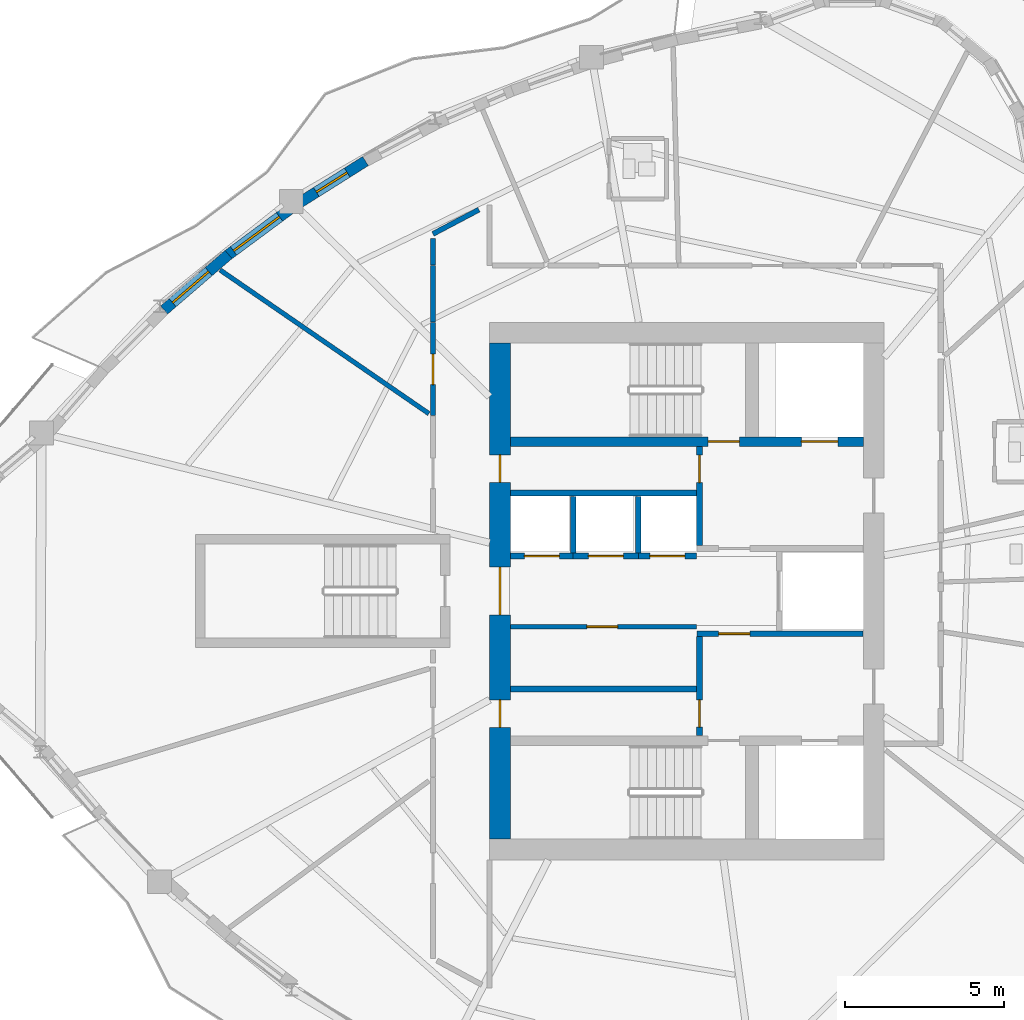
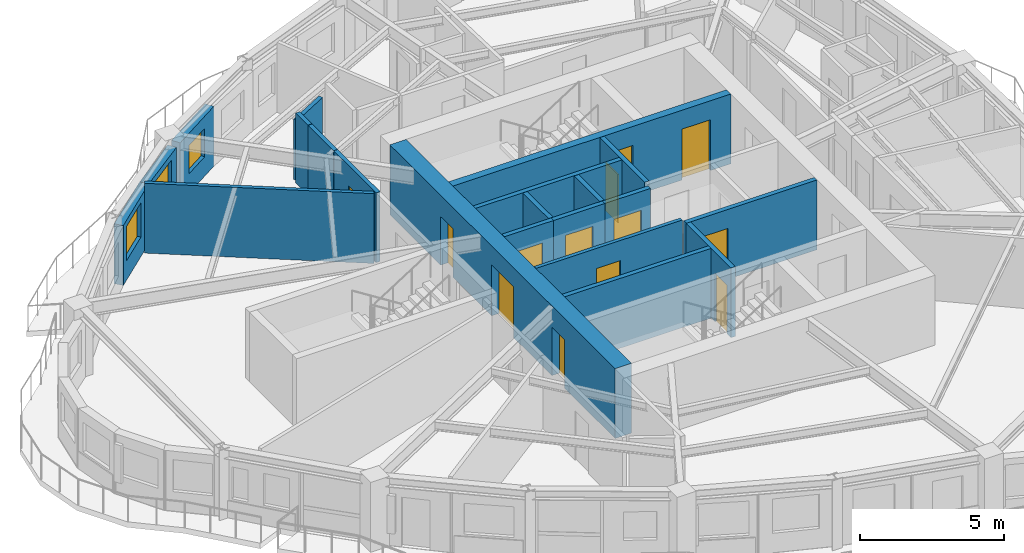
# One storey, part 6 of 13: 21 walls, 13 doors, 3 windows, 16 openings.
"""IFC4 building model written with IfcOpenShell, lengths in metres."""

from ifc_helpers import new_model, si_unit, direction, frame, frame_2d, origin, place, context, subcontext, project, spatial, rectangle, extrude, source, transform, mapped, material, layer, layer_set, type_object, element, fill, save


model = new_model("IFC4")

# Units and contexts
model_context = context("Model", 3, precision=1e-05, world=origin(), true_north=direction((0.0, 1.0)))
body_context = subcontext(model_context, "Body", "Model", "MODEL_VIEW")
ifc_project = project(units=[si_unit("LENGTHUNIT", "METRE"), si_unit("AREAUNIT", "SQUARE_METRE"), si_unit("VOLUMEUNIT", "CUBIC_METRE"), si_unit("PLANEANGLEUNIT", "RADIAN"), si_unit("MASSUNIT", "GRAM", prefix="KILO")], contexts=[model_context])

# Site, building, storey
site_placement = place(None, origin())
site = spatial("IfcSite", under=ifc_project, at=site_placement, CompositionType="ELEMENT")
building_placement = place(site_placement, origin())
building = spatial("IfcBuilding", under=site, at=building_placement, Name="Qafzar Sky-Pleat Residences", CompositionType="ELEMENT")
storey_placement = place(building_placement, frame((0.0, 0.0, 133.0)))
storey = spatial("IfcBuildingStorey", under=building, at=storey_placement, Name="L39", CompositionType="ELEMENT", Elevation=133.0)

# Wall, opening, door
ifc_material_1 = material(Name="Acoustic gypsum plasterboard partition", Category="gypsum")
ifc_layer_1 = layer(ifc_material_1, 0.159912109375)
ifc_layer_set_1 = layer_set([ifc_layer_1], Name="Acoustic gypsum plasterboard partition")
wall_type_1 = type_object("IfcWallType", Name="PART-COR-160", PredefinedType="PARTITIONING", material=ifc_layer_set_1)
wall_1_placement = place(storey_placement, frame((22.3701171875, 31.52294921875, 0.0), z_axis=(0.0, 0.0, 1.0), x_axis=(0.0, 1.0, 0.0)))
wall_1 = element("IfcWall", 1, at=wall_1_placement, inside=storey, type_object=wall_type_1, Name="L39 Partition Wall PART-L39-PW-008", PredefinedType="PARTITIONING", context=body_context, shape_type="SweptSolid", body=[
    extrude(rectangle(XDim=2.927001953125, YDim=0.159912109375, at=frame_2d((1.46337890625, 0.0))), origin(), (0.0, 0.0, 1.0), 2.949951171875),
])
opening_1_placement = place(wall_1_placement, frame((0.966552734375, 0.0, 0.0)))
opening_1 = element("IfcOpeningElement", 2, at=opening_1_placement, cuts=wall_1, Name="Opening ID-06", PredefinedType="OPENING", context=body_context, shape_type="SweptSolid", body=[
    extrude(rectangle(XDim=0.9599609375, YDim=2.10009765625, at=frame_2d((0.47998046875, 1.050048828125))), frame((0.0, 0.08984375, 0.0), z_axis=(0.0, -1.0, 0.0), x_axis=(1.0, 0.0, 0.0)), (0.0, 0.0, 1.0), 0.179931640625),
])
ifc_material_2 = material(Name="Timber-faced fire door", Category="wood")
door_type_1 = type_object("IfcDoorType", Name="DR-STD-960", OperationType="NOTDEFINED", PredefinedType="DOOR", material=ifc_material_2)
shared_shape_1 = source(origin(), body_context, "Body", "SweptSolid", [
    extrude(rectangle(XDim=0.9599609375, YDim=2.10009765625, at=frame_2d((0.47998046875, 1.050048828125))), frame((0.0, 0.02490234375, 0.0), z_axis=(0.0, -1.0, 0.0), x_axis=(1.0, 0.0, 0.0)), (0.0, 0.0, 1.0), 0.050048828125),
])
door_1_placement = place(opening_1_placement, origin())
door_1 = element("IfcDoor", 3, at=door_1_placement, inside=storey, type_object=door_type_1, Name="L39 Media Screening Room Door", OperationType="SINGLE_SWING_LEFT", OverallHeight=2.10009765625, OverallWidth=0.9599609375, PredefinedType="DOOR", context=body_context, shape_type="MappedRepresentation", body=[
    mapped(shared_shape_1, transform((0.0, 0.0, 0.0), x_axis=(1.0, 0.0, 0.0), y_axis=(0.0, 1.0, 0.0), z_axis=(0.0, 0.0, 1.0), scale=1.0)),
])
fill(opening_1, door_1)

# Walls
wall_2_placement = place(storey_placement, frame((22.3701171875, 34.465087890625, 0.0), z_axis=(0.0, 0.0, 1.0), x_axis=(0.0, 1.0, 0.0)))
element("IfcWall", 4, at=wall_2_placement, inside=storey, type_object=wall_type_1, Name="L39 Partition Wall PART-L39-PW-036", PredefinedType="PARTITIONING", context=body_context, shape_type="SweptSolid", body=[
    extrude(rectangle(XDim=1.764892578125, YDim=0.159912109375, at=frame_2d((0.88232421875, 0.0))), origin(), (0.0, 0.0, 1.0), 2.949951171875),
])
wall_3_placement = place(storey_placement, frame((22.3701171875, 37.22802734375, 0.0), z_axis=(0.0, 0.0, 1.0), x_axis=(0.884271493782, 0.466973152638, 0.0)))
element("IfcWall", 5, at=wall_3_placement, inside=storey, type_object=wall_type_1, Name="L39 Partition Wall PART-L39-PW-038", PredefinedType="PARTITIONING", context=body_context, shape_type="SweptSolid", body=[
    extrude(rectangle(XDim=1.631591796875, YDim=0.159912109375, at=frame_2d((0.81591796875, 0.0))), origin(), (0.0, 0.0, 1.0), 2.55810546875),
])
wall_4_placement = place(storey_placement, frame((22.3701171875, 36.2451171875, 0.0), z_axis=(0.0, 0.0, 1.0), x_axis=(0.0, 1.0, 0.0)))
element("IfcWall", 6, at=wall_4_placement, inside=storey, type_object=wall_type_1, Name="L39 Partition Wall PART-L39-PW-040", PredefinedType="PARTITIONING", context=body_context, shape_type="SweptSolid", body=[
    extrude(rectangle(XDim=0.84228515625, YDim=0.159912109375, at=frame_2d((0.421142578125, 0.0))), origin(), (0.0, 0.0, 1.0), 2.949951171875),
])

# Wall, opening, door
ifc_material_3 = material(Name="Concrete blockwork partition", Category="masonry")
ifc_layer_2 = layer(ifc_material_3, 0.179931640625)
ifc_layer_set_2 = layer_set([ifc_layer_2], Name="Concrete blockwork partition")
wall_type_2 = type_object("IfcWallType", Name="PART-SHAFT-180", PredefinedType="PARTITIONING", material=ifc_layer_set_2)
wall_5_placement = place(storey_placement, frame((30.75, 21.4599609375, 0.0), z_axis=(0.0, 0.0, 1.0), x_axis=(0.0, 1.0, 0.0)))
wall_5 = element("IfcWall", 7, at=wall_5_placement, inside=storey, type_object=wall_type_2, Name="L39 Partition Wall PART-L39-FFL1-W", PredefinedType="PARTITIONING", context=body_context, shape_type="SweptSolid", body=[
    extrude(rectangle(XDim=3.110107421875, YDim=0.179931640625, at=frame_2d((1.55517578125, 0.0))), origin(), (0.0, 0.0, 1.0), 2.949951171875),
])
opening_2_placement = place(wall_5_placement, frame((0.260009765625, 0.0, 0.0)))
opening_2 = element("IfcOpeningElement", 8, at=opening_2_placement, cuts=wall_5, Name="Opening ID-09", PredefinedType="OPENING", context=body_context, shape_type="SweptSolid", body=[
    extrude(rectangle(XDim=0.860107421875, YDim=2.050048828125, at=frame_2d((0.43017578125, 1.02490234375))), frame((0.0, 0.10009765625, 0.0), z_axis=(0.0, -1.0, 0.0), x_axis=(1.0, 0.0, 0.0)), (0.0, 0.0, 1.0), 0.199951171875),
])
door_type_2 = type_object("IfcDoorType", Name="DR-SVC-860", OperationType="NOTDEFINED", PredefinedType="DOOR", material=ifc_material_2)
shared_shape_2 = source(origin(), body_context, "Body", "SweptSolid", [
    extrude(rectangle(XDim=0.860107421875, YDim=2.050048828125, at=frame_2d((0.43017578125, 1.02490234375))), frame((0.0, 0.02490234375, 0.0), z_axis=(0.0, -1.0, 0.0), x_axis=(1.0, 0.0, 0.0)), (0.0, 0.0, 1.0), 0.050048828125),
])
door_2_placement = place(opening_2_placement, origin())
door_2 = element("IfcDoor", 9, at=door_2_placement, inside=storey, type_object=door_type_2, Name="L39 South Core Cupboard Door", OperationType="SINGLE_SWING_RIGHT", OverallHeight=2.050048828125, OverallWidth=0.860107421875, PredefinedType="DOOR", context=body_context, shape_type="MappedRepresentation", body=[
    mapped(shared_shape_2, transform((0.0, 0.0, 0.0), x_axis=(1.0, 0.0, 0.0), y_axis=(0.0, 1.0, 0.0), z_axis=(0.0, 0.0, 1.0), scale=1.0)),
])
fill(opening_2, door_2)

wall_6_placement = place(storey_placement, frame((30.669921875, 24.659912109375, 0.0), z_axis=(0.0, 0.0, 1.0), x_axis=(1.0, 0.0, 0.0)))
wall_6 = element("IfcWall", 10, at=wall_6_placement, inside=storey, type_object=wall_type_2, Name="L39 Partition Wall PART-L39-FFL1-N", PredefinedType="PARTITIONING", context=body_context, shape_type="SweptSolid", body=[
    extrude(rectangle(XDim=5.219970703125, YDim=0.179931640625, at=frame_2d((2.60986328125, 0.0))), origin(), (0.0, 0.0, 1.0), 2.949951171875),
])
opening_3_placement = place(wall_6_placement, frame((0.679931640625, 0.0, 0.0)))
opening_3 = element("IfcOpeningElement", 11, at=opening_3_placement, cuts=wall_6, Name="Opening ID-01", PredefinedType="OPENING", context=body_context, shape_type="SweptSolid", body=[
    extrude(rectangle(XDim=0.97998046875, YDim=2.14990234375, at=frame_2d((0.489990234375, 1.074951171875))), frame((0.0, 0.10009765625, 0.0), z_axis=(0.0, -1.0, 0.0), x_axis=(1.0, 0.0, 0.0)), (0.0, 0.0, 1.0), 0.199951171875),
])
door_type_3 = type_object("IfcDoorType", Name="DR-STAIR-980", OperationType="NOTDEFINED", PredefinedType="DOOR", material=ifc_material_2)
shared_shape_3 = source(origin(), body_context, "Body", "SweptSolid", [
    extrude(rectangle(XDim=0.97998046875, YDim=2.14990234375, at=frame_2d((0.489990234375, 1.074951171875))), frame((0.0, 0.02490234375, 0.0), z_axis=(0.0, -1.0, 0.0), x_axis=(1.0, 0.0, 0.0)), (0.0, 0.0, 1.0), 0.050048828125),
])
door_3_placement = place(opening_3_placement, origin())
door_3 = element("IfcDoor", 12, at=door_3_placement, inside=storey, type_object=door_type_3, Name="L39 Lift Lobby to South Firefighting Lobby Door", OperationType="SINGLE_SWING_LEFT", OverallHeight=2.14990234375, OverallWidth=0.97998046875, PredefinedType="DOOR", context=body_context, shape_type="MappedRepresentation", body=[
    mapped(shared_shape_3, transform((0.0, 0.0, 0.0), x_axis=(1.0, 0.0, 0.0), y_axis=(0.0, 1.0, 0.0), z_axis=(0.0, 0.0, 1.0), scale=1.0)),
])
fill(opening_3, door_3)

wall_7_placement = place(storey_placement, frame((30.75, 27.429931640625, 0.0), z_axis=(0.0, 0.0, 1.0), x_axis=(0.0, 1.0, 0.0)))
wall_7 = element("IfcWall", 13, at=wall_7_placement, inside=storey, type_object=wall_type_2, Name="L39 Partition Wall PART-L39-FFL2-W", PredefinedType="PARTITIONING", context=body_context, shape_type="SweptSolid", body=[
    extrude(rectangle(XDim=3.110107421875, YDim=0.179931640625, at=frame_2d((1.55517578125, 0.0))), origin(), (0.0, 0.0, 1.0), 2.949951171875),
])
opening_4_placement = place(wall_7_placement, frame((1.97998046875, 0.0, 0.0)))
opening_4 = element("IfcOpeningElement", 14, at=opening_4_placement, cuts=wall_7, Name="Opening ID-09", PredefinedType="OPENING", context=body_context, shape_type="SweptSolid", body=[
    extrude(rectangle(XDim=0.860107421875, YDim=2.050048828125, at=frame_2d((0.43017578125, 1.02490234375))), frame((0.0, 0.10009765625, 0.0), z_axis=(0.0, -1.0, 0.0), x_axis=(1.0, 0.0, 0.0)), (0.0, 0.0, 1.0), 0.199951171875),
])
door_4_placement = place(opening_4_placement, origin())
door_4 = element("IfcDoor", 15, at=door_4_placement, inside=storey, type_object=door_type_2, Name="L39 North Core Cupboard Door", OperationType="SINGLE_SWING_RIGHT", OverallHeight=2.050048828125, OverallWidth=0.860107421875, PredefinedType="DOOR", context=body_context, shape_type="MappedRepresentation", body=[
    mapped(shared_shape_2, transform((0.0, 0.0, 0.0), x_axis=(1.0, 0.0, 0.0), y_axis=(0.0, 1.0, 0.0), z_axis=(0.0, 0.0, 1.0), scale=1.0)),
])
fill(opening_4, door_4)

# Walls
for number, where, z_axis, x_axis, name in (
    (16, (24.81005859375, 22.919921875, 0.0), (0.0, 0.0, 1.0), (1.0, 0.0, 0.0), "L39 Partition Wall PART-L39-P13-S"),
    (17, (24.81005859375, 29.080078125, 0.0), (0.0, 0.0, 1.0), (1.0, 0.0, 0.0), "L39 Partition Wall PART-L39-P46-N"),
):
    element("IfcWall", number, at=place(storey_placement, frame(where, z_axis=z_axis, x_axis=x_axis)), inside=storey, type_object=wall_type_2, Name=name, PredefinedType="PARTITIONING", context=body_context, shape_type="SweptSolid", body=[
        extrude(rectangle(XDim=5.83984375, YDim=0.179931640625, at=frame_2d((2.919921875, 0.0))), origin(), (0.0, 0.0, 1.0), 2.949951171875),
    ])

# Wall, opening, door
wall_8_placement = place(storey_placement, frame((24.81005859375, 27.10009765625, 0.0), z_axis=(0.0, 0.0, 1.0), x_axis=(1.0, 0.0, 0.0)))
wall_8 = element("IfcWall", 18, at=wall_8_placement, inside=storey, type_object=wall_type_2, Name="L39 Partition Wall PART-L39-P4-S", PredefinedType="PARTITIONING", context=body_context, shape_type="SweptSolid", body=[
    extrude(rectangle(XDim=1.96484375, YDim=0.179931640625, at=frame_2d((0.982421875, 0.0))), origin(), (0.0, 0.0, 1.0), 2.949951171875),
])
opening_5_placement = place(wall_8_placement, frame((0.4326171875, 0.0, 0.0)))
opening_5 = element("IfcOpeningElement", 19, at=opening_5_placement, cuts=wall_8, Name="Opening LD-01", PredefinedType="OPENING", context=body_context, shape_type="SweptSolid", body=[
    extrude(rectangle(XDim=1.10009765625, YDim=2.14990234375, at=frame_2d((0.550048828125, 1.074951171875))), frame((0.0, 0.10009765625, 0.0), z_axis=(0.0, -1.0, 0.0), x_axis=(1.0, 0.0, 0.0)), (0.0, 0.0, 1.0), 0.199951171875),
])
ifc_material_4 = material(Name="Stainless steel sliding landing door", Category="steel")
door_type_4 = type_object("IfcDoorType", Name="DR-LIFT-P", OperationType="DOUBLE_DOOR_SLIDING", PredefinedType="DOOR", material=ifc_material_4)
shared_shape_4 = source(origin(), body_context, "Body", "SweptSolid", [
    extrude(rectangle(XDim=1.10009765625, YDim=2.14990234375, at=frame_2d((0.550048828125, 1.074951171875))), frame((0.0, 0.02490234375, 0.0), z_axis=(0.0, -1.0, 0.0), x_axis=(1.0, 0.0, 0.0)), (0.0, 0.0, 1.0), 0.050048828125),
])
door_5_placement = place(opening_5_placement, origin())
door_5 = element("IfcDoor", 20, at=door_5_placement, inside=storey, type_object=door_type_4, Name="L39 Passenger Lift P4 Landing Door", OperationType="DOUBLE_DOOR_SLIDING", OverallHeight=2.14990234375, OverallWidth=1.10009765625, PredefinedType="DOOR", context=body_context, shape_type="MappedRepresentation", body=[
    mapped(shared_shape_4, transform((0.0, 0.0, 0.0), x_axis=(1.0, 0.0, 0.0), y_axis=(0.0, 1.0, 0.0), z_axis=(0.0, 0.0, 1.0), scale=1.0)),
])
fill(opening_5, door_5)

wall_9_placement = place(storey_placement, frame((26.77490234375, 27.10009765625, 0.0), z_axis=(0.0, 0.0, 1.0), x_axis=(1.0, 0.0, 0.0)))
wall_9 = element("IfcWall", 21, at=wall_9_placement, inside=storey, type_object=wall_type_2, Name="L39 Partition Wall PART-L39-P5-S", PredefinedType="PARTITIONING", context=body_context, shape_type="SweptSolid", body=[
    extrude(rectangle(XDim=2.050048828125, YDim=0.179931640625, at=frame_2d((1.02490234375, 0.0))), origin(), (0.0, 0.0, 1.0), 2.949951171875),
])
opening_6_placement = place(wall_9_placement, frame((0.47509765625, 0.0, 0.0)))
opening_6 = element("IfcOpeningElement", 22, at=opening_6_placement, cuts=wall_9, Name="Opening LD-01", PredefinedType="OPENING", context=body_context, shape_type="SweptSolid", body=[
    extrude(rectangle(XDim=1.10009765625, YDim=2.14990234375, at=frame_2d((0.550048828125, 1.074951171875))), frame((0.0, 0.10009765625, 0.0), z_axis=(0.0, -1.0, 0.0), x_axis=(1.0, 0.0, 0.0)), (0.0, 0.0, 1.0), 0.199951171875),
])
door_6_placement = place(opening_6_placement, origin())
door_6 = element("IfcDoor", 23, at=door_6_placement, inside=storey, type_object=door_type_4, Name="L39 Passenger Lift P5 Landing Door", OperationType="DOUBLE_DOOR_SLIDING", OverallHeight=2.14990234375, OverallWidth=1.10009765625, PredefinedType="DOOR", context=body_context, shape_type="MappedRepresentation", body=[
    mapped(shared_shape_4, transform((0.0, 0.0, 0.0), x_axis=(1.0, 0.0, 0.0), y_axis=(0.0, 1.0, 0.0), z_axis=(0.0, 0.0, 1.0), scale=1.0)),
])
fill(opening_6, door_6)

# Wall
wall_10_placement = place(storey_placement, frame((26.77490234375, 27.199951171875, 0.0), z_axis=(0.0, 0.0, 1.0), x_axis=(0.0, 1.0, 0.0)))
element("IfcWall", 24, at=wall_10_placement, inside=storey, type_object=wall_type_2, Name="L39 Partition Wall PART-L39-P46-DIV-1", PredefinedType="PARTITIONING", context=body_context, shape_type="SweptSolid", body=[
    extrude(rectangle(XDim=1.780029296875, YDim=0.179931640625, at=frame_2d((0.89013671875, 0.0))), origin(), (0.0, 0.0, 1.0), 2.949951171875),
])

# Wall, opening, door
wall_11_placement = place(storey_placement, frame((28.824951171875, 27.10009765625, 0.0), z_axis=(0.0, 0.0, 1.0), x_axis=(1.0, 0.0, 0.0)))
wall_11 = element("IfcWall", 25, at=wall_11_placement, inside=storey, type_object=wall_type_2, Name="L39 Partition Wall PART-L39-P6-S", PredefinedType="PARTITIONING", context=body_context, shape_type="SweptSolid", body=[
    extrude(rectangle(XDim=1.824951171875, YDim=0.179931640625, at=frame_2d((0.91259765625, 0.0))), origin(), (0.0, 0.0, 1.0), 2.949951171875),
])
opening_7_placement = place(wall_11_placement, frame((0.362548828125, 0.0, 0.0)))
opening_7 = element("IfcOpeningElement", 26, at=opening_7_placement, cuts=wall_11, Name="Opening LD-01", PredefinedType="OPENING", context=body_context, shape_type="SweptSolid", body=[
    extrude(rectangle(XDim=1.10009765625, YDim=2.14990234375, at=frame_2d((0.550048828125, 1.074951171875))), frame((0.0, 0.10009765625, 0.0), z_axis=(0.0, -1.0, 0.0), x_axis=(1.0, 0.0, 0.0)), (0.0, 0.0, 1.0), 0.199951171875),
])
door_7_placement = place(opening_7_placement, origin())
door_7 = element("IfcDoor", 27, at=door_7_placement, inside=storey, type_object=door_type_4, Name="L39 Passenger Lift P6 Landing Door", OperationType="DOUBLE_DOOR_SLIDING", OverallHeight=2.14990234375, OverallWidth=1.10009765625, PredefinedType="DOOR", context=body_context, shape_type="MappedRepresentation", body=[
    mapped(shared_shape_4, transform((0.0, 0.0, 0.0), x_axis=(1.0, 0.0, 0.0), y_axis=(0.0, 1.0, 0.0), z_axis=(0.0, 0.0, 1.0), scale=1.0)),
])
fill(opening_7, door_7)

# Wall
wall_12_placement = place(storey_placement, frame((28.824951171875, 27.199951171875, 0.0), z_axis=(0.0, 0.0, 1.0), x_axis=(0.0, 1.0, 0.0)))
element("IfcWall", 28, at=wall_12_placement, inside=storey, type_object=wall_type_2, Name="L39 Partition Wall PART-L39-P46-DIV-2", PredefinedType="PARTITIONING", context=body_context, shape_type="SweptSolid", body=[
    extrude(rectangle(XDim=1.780029296875, YDim=0.179931640625, at=frame_2d((0.89013671875, 0.0))), origin(), (0.0, 0.0, 1.0), 2.949951171875),
])

# Wall, opening, door
ifc_layer_3 = layer(ifc_material_1, 0.14501953125)
ifc_layer_set_3 = layer_set([ifc_layer_3], Name="Acoustic gypsum plasterboard partition")
wall_type_3 = type_object("IfcWallType", Name="PART-UNIT-145", PredefinedType="PARTITIONING", material=ifc_layer_set_3)
wall_13_placement = place(storey_placement, frame((24.81005859375, 24.8798828125, 0.0), z_axis=(0.0, 0.0, 1.0), x_axis=(1.0, 0.0, 0.0)))
wall_13 = element("IfcWall", 29, at=wall_13_placement, inside=storey, type_object=wall_type_3, Name="L39 Partition Wall PART-L39-RECLAIM-N", PredefinedType="PARTITIONING", context=body_context, shape_type="SweptSolid", body=[
    extrude(rectangle(XDim=5.83984375, YDim=0.14501953125, at=frame_2d((2.919921875, 0.0))), origin(), (0.0, 0.0, 1.0), 2.949951171875),
])
opening_8_placement = place(wall_13_placement, frame((2.39990234375, 0.0, 0.0)))
opening_8 = element("IfcOpeningElement", 30, at=opening_8_placement, cuts=wall_13, Name="Opening ID-06", PredefinedType="OPENING", context=body_context, shape_type="SweptSolid", body=[
    extrude(rectangle(XDim=0.9599609375, YDim=2.10009765625, at=frame_2d((0.47998046875, 1.050048828125))), frame((0.0, 0.08251953125, 0.0), z_axis=(0.0, -1.0, 0.0), x_axis=(1.0, 0.0, 0.0)), (0.0, 0.0, 1.0), 0.1650390625),
])
door_8_placement = place(opening_8_placement, origin())
door_8 = element("IfcDoor", 31, at=door_8_placement, inside=storey, type_object=door_type_1, Name="L39 Reclaimed Resident Laundry Room Door", OperationType="SINGLE_SWING_RIGHT", OverallHeight=2.10009765625, OverallWidth=0.9599609375, PredefinedType="DOOR", context=body_context, shape_type="MappedRepresentation", body=[
    mapped(shared_shape_1, transform((0.0, 0.0, 0.0), x_axis=(1.0, 0.0, 0.0), y_axis=(0.0, 1.0, 0.0), z_axis=(0.0, 0.0, 1.0), scale=1.0)),
])
fill(opening_8, door_8)

# Wall
wall_14_placement = place(storey_placement, frame((15.677001953125, 36.093505859375, 0.0), z_axis=(0.0, 0.0, 1.0), x_axis=(0.823863992983, -0.566787544911, 0.0)))
element("IfcWall", 32, at=wall_14_placement, inside=storey, type_object=wall_type_3, Name="L39 Partition Wall PART-L39-PW-015", PredefinedType="PARTITIONING", context=body_context, shape_type="SweptSolid", body=[
    extrude(rectangle(XDim=7.96875, YDim=0.14501953125, at=frame_2d((3.984375, 0.0))), origin(), (0.0, 0.0, 1.0), 2.949951171875),
])

# Wall, opening, window
ifc_material_5 = material(Name="Precast concrete C40/50 with honed Riyadh limestone", Category="concrete")
ifc_layer_4 = layer(ifc_material_5, 0.340087890625)
ifc_layer_set_4 = layer_set([ifc_layer_4], Name="Precast concrete C40/50 with honed Riyadh limestone")
wall_type_4 = type_object("IfcWallType", Name="WALL-EXT-340", PredefinedType="SOLIDWALL", material=ifc_layer_set_4)
wall_15_placement = place(storey_placement, frame((20.248046875, 39.515625, 0.0), z_axis=(0.0, 0.0, 1.0), x_axis=(-0.846438698205, -0.532486178394, 0.0)))
wall_15 = element("IfcWall", 33, at=wall_15_placement, inside=storey, type_object=wall_type_4, Name="L39 Limestone Facade Wall 44", PredefinedType="SOLIDWALL", context=body_context, shape_type="SweptSolid", body=[
    extrude(rectangle(XDim=2.49462890625, YDim=0.340087890625, at=frame_2d((1.247314453125, 0.0))), origin(), (0.0, 0.0, 1.0), 2.530029296875),
])
opening_9_placement = place(wall_15_placement, frame((0.677490234375, 0.0, 0.820068359375)))
opening_9 = element("IfcOpeningElement", 34, at=opening_9_placement, cuts=wall_15, Name="Opening WN-16", PredefinedType="OPENING", context=body_context, shape_type="SweptSolid", body=[
    extrude(rectangle(XDim=1.14990234375, YDim=1.199951171875, at=frame_2d((0.574951171875, 0.60009765625))), frame((0.0, 0.18017578125, 0.0), z_axis=(0.0, -1.0, 0.0), x_axis=(1.0, 0.0, 0.0)), (0.0, 0.0, 1.0), 0.360107421875),
])
ifc_material_6 = material(Name="Solar-control low-E glass in bronze aluminium frame", Category="glass")
window_type_1 = type_object("IfcWindowType", Name="WIN-16", PartitioningType="SINGLE_PANEL", PredefinedType="WINDOW", material=ifc_material_6)
shared_shape_5 = source(origin(), body_context, "Body", "SweptSolid", [
    extrude(rectangle(XDim=1.14990234375, YDim=1.199951171875, at=frame_2d((0.574951171875, 0.60009765625))), frame((0.0, 0.030029296875, 0.0), z_axis=(0.0, -1.0, 0.0), x_axis=(1.0, 0.0, 0.0)), (0.0, 0.0, 1.0), 0.06005859375),
])
window_1_placement = place(opening_9_placement, origin())
window_1 = element("IfcWindow", 35, at=window_1_placement, inside=storey, type_object=window_type_1, Name="L39 Punched Facade Window 44", OverallHeight=1.199951171875, OverallWidth=1.14990234375, PartitioningType="SINGLE_PANEL", PredefinedType="WINDOW", context=body_context, shape_type="MappedRepresentation", body=[
    mapped(shared_shape_5, transform((0.0, 0.0, 0.0), x_axis=(1.0, 0.0, 0.0), y_axis=(0.0, 1.0, 0.0), z_axis=(0.0, 0.0, 1.0), scale=1.0)),
])
fill(opening_9, window_1)

wall_16_placement = place(storey_placement, frame((17.89111328125, 38.01953125, 0.0), z_axis=(0.0, 0.0, 1.0), x_axis=(-0.803824223013, -0.594866891411, 0.0)))
wall_16 = element("IfcWall", 36, at=wall_16_placement, inside=storey, type_object=wall_type_4, Name="L39 Limestone Facade Wall 45", PredefinedType="SOLIDWALL", context=body_context, shape_type="SweptSolid", body=[
    extrude(rectangle(XDim=2.509765625, YDim=0.340087890625, at=frame_2d((1.2548828125, 0.0))), origin(), (0.0, 0.0, 1.0), 2.530029296875),
])
opening_10_placement = place(wall_16_placement, frame((0.429931640625, 0.0, 0.820068359375)))
opening_10 = element("IfcOpeningElement", 37, at=opening_10_placement, cuts=wall_16, Name="Opening WN-01", PredefinedType="OPENING", context=body_context, shape_type="SweptSolid", body=[
    extrude(rectangle(XDim=1.800048828125, YDim=1.449951171875, at=frame_2d((0.89990234375, 0.72509765625))), frame((0.0, 0.18017578125, 0.0), z_axis=(0.0, -1.0, 0.0), x_axis=(1.0, 0.0, 0.0)), (0.0, 0.0, 1.0), 0.360107421875),
])
window_type_2 = type_object("IfcWindowType", Name="WIN-01", PartitioningType="DOUBLE_PANEL_VERTICAL", PredefinedType="WINDOW", material=ifc_material_6)
shared_shape_6 = source(origin(), body_context, "Body", "SweptSolid", [
    extrude(rectangle(XDim=1.800048828125, YDim=1.449951171875, at=frame_2d((0.89990234375, 0.72509765625))), frame((0.0, 0.030029296875, 0.0), z_axis=(0.0, -1.0, 0.0), x_axis=(1.0, 0.0, 0.0)), (0.0, 0.0, 1.0), 0.06005859375),
])
window_2_placement = place(opening_10_placement, origin())
window_2 = element("IfcWindow", 38, at=window_2_placement, inside=storey, type_object=window_type_2, Name="L39 Punched Facade Window 45", OverallHeight=1.449951171875, OverallWidth=1.800048828125, PartitioningType="SINGLE_PANEL", PredefinedType="WINDOW", context=body_context, shape_type="MappedRepresentation", body=[
    mapped(shared_shape_6, transform((0.0, 0.0, 0.0), x_axis=(1.0, 0.0, 0.0), y_axis=(0.0, 1.0, 0.0), z_axis=(0.0, 0.0, 1.0), scale=1.0)),
])
fill(opening_10, window_2)

wall_17_placement = place(storey_placement, frame((15.943115234375, 36.581787109375, 0.0), z_axis=(0.0, 0.0, 1.0), x_axis=(-0.757520482063, -0.652811396389, 0.0)))
wall_17 = element("IfcWall", 39, at=wall_17_placement, inside=storey, type_object=wall_type_4, Name="L39 Limestone Facade Wall 46", PredefinedType="SOLIDWALL", context=body_context, shape_type="SweptSolid", body=[
    extrude(rectangle(XDim=2.67431640625, YDim=0.340087890625, at=frame_2d((1.337158203125, 0.0))), origin(), (0.0, 0.0, 1.0), 2.530029296875),
])
opening_11_placement = place(wall_17_placement, frame((0.822265625, 0.0, 0.820068359375)))
opening_11 = element("IfcOpeningElement", 40, at=opening_11_placement, cuts=wall_17, Name="Opening WN-03", PredefinedType="OPENING", context=body_context, shape_type="SweptSolid", body=[
    extrude(rectangle(XDim=1.5, YDim=1.449951171875, at=frame_2d((0.75, 0.72509765625))), frame((0.0, 0.18017578125, 0.0), z_axis=(0.0, -1.0, 0.0), x_axis=(1.0, 0.0, 0.0)), (0.0, 0.0, 1.0), 0.360107421875),
])
window_type_3 = type_object("IfcWindowType", Name="WIN-03", PartitioningType="DOUBLE_PANEL_VERTICAL", PredefinedType="WINDOW", material=ifc_material_6)
shared_shape_7 = source(origin(), body_context, "Body", "SweptSolid", [
    extrude(rectangle(XDim=1.5, YDim=1.449951171875, at=frame_2d((0.75, 0.72509765625))), frame((0.0, 0.030029296875, 0.0), z_axis=(0.0, -1.0, 0.0), x_axis=(1.0, 0.0, 0.0)), (0.0, 0.0, 1.0), 0.06005859375),
])
window_3_placement = place(opening_11_placement, origin())
window_3 = element("IfcWindow", 41, at=window_3_placement, inside=storey, type_object=window_type_3, Name="L39 Punched Facade Window 46-2", OverallHeight=1.449951171875, OverallWidth=1.5, PartitioningType="SINGLE_PANEL", PredefinedType="WINDOW", context=body_context, shape_type="MappedRepresentation", body=[
    mapped(shared_shape_7, transform((0.0, 0.0, 0.0), x_axis=(1.0, 0.0, 0.0), y_axis=(0.0, 1.0, 0.0), z_axis=(0.0, 0.0, 1.0), scale=1.0)),
])
fill(opening_11, window_3)

# Wall, openings, doors
ifc_material_7 = material(Name="Concrete C60/75", Category="concrete")
ifc_layer_5 = layer(ifc_material_7, 0.300048828125)
ifc_layer_set_5 = layer_set([ifc_layer_5], Name="Concrete C60/75")
wall_type_5 = type_object("IfcWallType", Name="WALL-SHEAR-300", PredefinedType="SHEAR", material=ifc_layer_set_5)
wall_18_placement = place(storey_placement, frame((24.800048828125, 30.699951171875, 0.0), z_axis=(0.0, 0.0, 1.0), x_axis=(1.0, 0.0, 0.0)))
wall_18 = element("IfcWall", 42, at=wall_18_placement, inside=storey, type_object=wall_type_5, Name="L39 Stair ST2 and FF2 Shaft South Wall", PredefinedType="SHEAR", context=body_context, shape_type="SweptSolid", body=[
    extrude(rectangle(XDim=11.099853515625, YDim=0.300048828125, at=frame_2d((5.5498046875, 0.0))), origin(), (0.0, 0.0, 1.0), 2.949951171875),
])
opening_12_placement = place(wall_18_placement, frame((6.219970703125, 0.0, 0.0)))
opening_12 = element("IfcOpeningElement", 43, at=opening_12_placement, cuts=wall_18, Name="Opening ID-01", PredefinedType="OPENING", context=body_context, shape_type="SweptSolid", body=[
    extrude(rectangle(XDim=0.97998046875, YDim=2.14990234375, at=frame_2d((0.489990234375, 1.074951171875))), frame((0.0, 0.16015625, 0.0), z_axis=(0.0, -1.0, 0.0), x_axis=(1.0, 0.0, 0.0)), (0.0, 0.0, 1.0), 0.320068359375),
])
opening_13_placement = place(wall_18_placement, frame((9.14990234375, 0.0, 0.0)))
opening_13 = element("IfcOpeningElement", 44, at=opening_13_placement, cuts=wall_18, Name="Opening LD-02", PredefinedType="OPENING", context=body_context, shape_type="SweptSolid", body=[
    extrude(rectangle(XDim=1.14990234375, YDim=2.14990234375, at=frame_2d((0.574951171875, 1.074951171875))), frame((0.0, 0.16015625, 0.0), z_axis=(0.0, -1.0, 0.0), x_axis=(1.0, 0.0, 0.0)), (0.0, 0.0, 1.0), 0.320068359375),
])
door_9_placement = place(opening_12_placement, origin())
door_9 = element("IfcDoor", 45, at=door_9_placement, inside=storey, type_object=door_type_3, Name="L39 Stair ST2 Fire Door", OperationType="SINGLE_SWING_RIGHT", OverallHeight=2.14990234375, OverallWidth=0.97998046875, PredefinedType="DOOR", context=body_context, shape_type="MappedRepresentation", body=[
    mapped(shared_shape_3, transform((0.0, 0.0, 0.0), x_axis=(1.0, 0.0, 0.0), y_axis=(0.0, 1.0, 0.0), z_axis=(0.0, 0.0, 1.0), scale=1.0)),
])
fill(opening_12, door_9)
door_type_5 = type_object("IfcDoorType", Name="DR-LIFT-FF", OperationType="DOUBLE_DOOR_SLIDING", PredefinedType="DOOR", material=ifc_material_4)
shared_shape_8 = source(origin(), body_context, "Body", "SweptSolid", [
    extrude(rectangle(XDim=1.14990234375, YDim=2.14990234375, at=frame_2d((0.574951171875, 1.074951171875))), frame((0.0, 0.02490234375, 0.0), z_axis=(0.0, -1.0, 0.0), x_axis=(1.0, 0.0, 0.0)), (0.0, 0.0, 1.0), 0.050048828125),
])
door_10_placement = place(opening_13_placement, origin())
door_10 = element("IfcDoor", 46, at=door_10_placement, inside=storey, type_object=door_type_5, Name="L39 Firefighting Lift FF2 Landing Door", OperationType="DOUBLE_DOOR_SLIDING", OverallHeight=2.14990234375, OverallWidth=1.14990234375, PredefinedType="DOOR", context=body_context, shape_type="MappedRepresentation", body=[
    mapped(shared_shape_8, transform((0.0, 0.0, 0.0), x_axis=(1.0, 0.0, 0.0), y_axis=(0.0, 1.0, 0.0), z_axis=(0.0, 0.0, 1.0), scale=1.0)),
])
fill(opening_13, door_10)

ifc_layer_6 = layer(ifc_material_7, 0.64990234375)
ifc_layer_set_6 = layer_set([ifc_layer_6], Name="Concrete C60/75")
wall_type_6 = type_object("IfcWallType", Name="WALL-SHEAR-650", PredefinedType="SHEAR", material=ifc_layer_set_6)
wall_19_placement = place(storey_placement, frame((24.47509765625, 33.800048828125, 0.0), z_axis=(0.0, 0.0, 1.0), x_axis=(0.0, -1.0, 0.0)))
wall_19 = element("IfcWall", 47, at=wall_19_placement, inside=storey, type_object=wall_type_6, Name="L39 CORE wall W", PredefinedType="SHEAR", context=body_context, shape_type="SweptSolid", body=[
    extrude(rectangle(XDim=15.60009765625, YDim=0.64990234375, at=frame_2d((7.800048828125, 0.0))), origin(), (0.0, 0.0, 1.0), 2.949951171875),
])
opening_14_placement = place(wall_19_placement, frame((7.050048828125, 0.0, 0.0)))
opening_14 = element("IfcOpeningElement", 48, at=opening_14_placement, cuts=wall_19, Name="Opening ID-03", PredefinedType="OPENING", context=body_context, shape_type="SweptSolid", body=[
    extrude(rectangle(XDim=1.5, YDim=2.14990234375, at=frame_2d((0.75, 1.074951171875))), frame((0.0, 0.3349609375, 0.0), z_axis=(0.0, -1.0, 0.0), x_axis=(1.0, 0.0, 0.0)), (0.0, 0.0, 1.0), 0.669921875),
])
opening_15_placement = place(wall_19_placement, frame((3.52001953125, 0.0, 0.0)))
opening_15 = element("IfcOpeningElement", 49, at=opening_15_placement, cuts=wall_19, Name="Opening ID-09", PredefinedType="OPENING", context=body_context, shape_type="SweptSolid", body=[
    extrude(rectangle(XDim=0.860107421875, YDim=2.050048828125, at=frame_2d((0.43017578125, 1.02490234375))), frame((0.0, 0.3349609375, 0.0), z_axis=(0.0, -1.0, 0.0), x_axis=(1.0, 0.0, 0.0)), (0.0, 0.0, 1.0), 0.669921875),
])
opening_16_placement = place(wall_19_placement, frame((11.219970703125, 0.0, 0.0)))
opening_16 = element("IfcOpeningElement", 50, at=opening_16_placement, cuts=wall_19, Name="Opening ID-09", PredefinedType="OPENING", context=body_context, shape_type="SweptSolid", body=[
    extrude(rectangle(XDim=0.860107421875, YDim=2.050048828125, at=frame_2d((0.43017578125, 1.02490234375))), frame((0.0, 0.3349609375, 0.0), z_axis=(0.0, -1.0, 0.0), x_axis=(1.0, 0.0, 0.0)), (0.0, 0.0, 1.0), 0.669921875),
])
door_type_6 = type_object("IfcDoorType", Name="DR-COR-1500", OperationType="DOUBLE_DOOR_SINGLE_SWING", PredefinedType="DOOR", material=ifc_material_2)
shared_shape_9 = source(origin(), body_context, "Body", "SweptSolid", [
    extrude(rectangle(XDim=1.5, YDim=2.14990234375, at=frame_2d((0.75, 1.074951171875))), frame((0.0, 0.02490234375, 0.0), z_axis=(0.0, -1.0, 0.0), x_axis=(1.0, 0.0, 0.0)), (0.0, 0.0, 1.0), 0.050048828125),
])
door_11_placement = place(opening_14_placement, origin())
door_11 = element("IfcDoor", 51, at=door_11_placement, inside=storey, type_object=door_type_6, Name="L39 Lift Lobby West Double Door", OperationType="DOUBLE_DOOR_SINGLE_SWING", OverallHeight=2.14990234375, OverallWidth=1.5, PredefinedType="DOOR", context=body_context, shape_type="MappedRepresentation", body=[
    mapped(shared_shape_9, transform((0.0, 0.0, 0.0), x_axis=(1.0, 0.0, 0.0), y_axis=(0.0, 1.0, 0.0), z_axis=(0.0, 0.0, 1.0), scale=1.0)),
])
fill(opening_14, door_11)
door_12_placement = place(opening_15_placement, origin())
door_12 = element("IfcDoor", 52, at=door_12_placement, inside=storey, type_object=door_type_2, Name="L39 Core North-West Service Door", OperationType="SINGLE_SWING_RIGHT", OverallHeight=2.050048828125, OverallWidth=0.860107421875, PredefinedType="DOOR", context=body_context, shape_type="MappedRepresentation", body=[
    mapped(shared_shape_2, transform((0.0, 0.0, 0.0), x_axis=(1.0, 0.0, 0.0), y_axis=(0.0, 1.0, 0.0), z_axis=(0.0, 0.0, 1.0), scale=1.0)),
])
fill(opening_15, door_12)
door_13_placement = place(opening_16_placement, origin())
door_13 = element("IfcDoor", 53, at=door_13_placement, inside=storey, type_object=door_type_2, Name="L39 Core South-West Service Door", OperationType="SINGLE_SWING_LEFT", OverallHeight=2.050048828125, OverallWidth=0.860107421875, PredefinedType="DOOR", context=body_context, shape_type="MappedRepresentation", body=[
    mapped(shared_shape_2, transform((0.0, 0.0, 0.0), x_axis=(1.0, 0.0, 0.0), y_axis=(0.0, 1.0, 0.0), z_axis=(0.0, 0.0, 1.0), scale=1.0)),
])
fill(opening_16, door_13)

save(model, "model.ifc")
